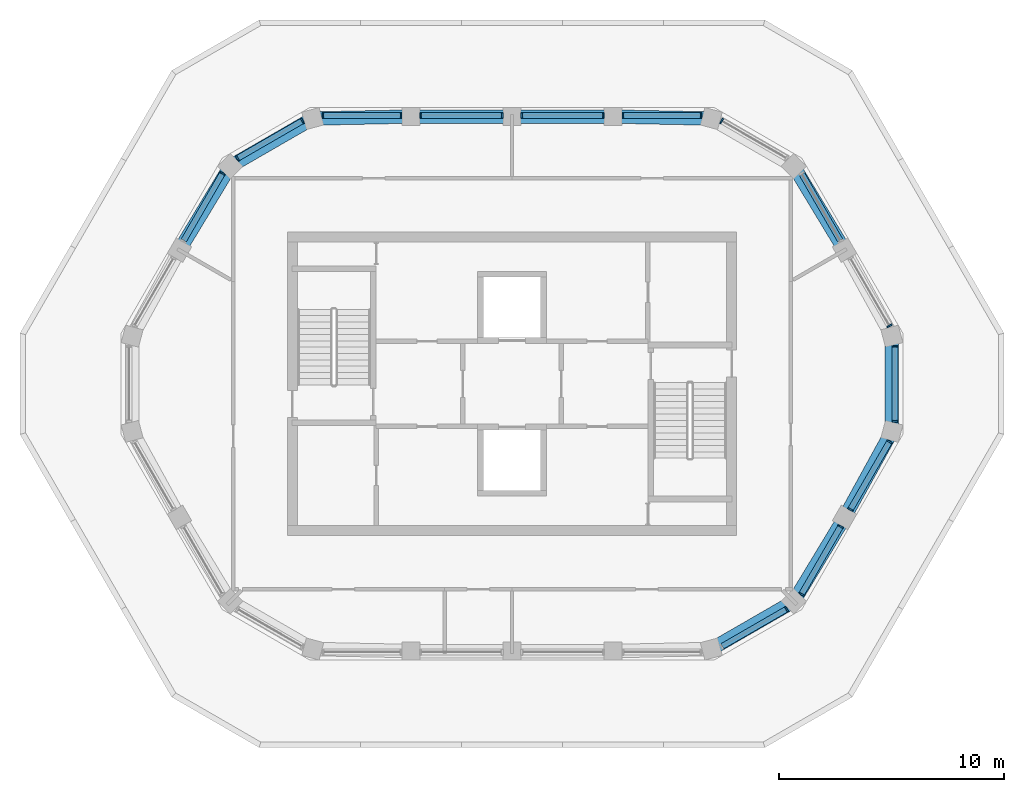
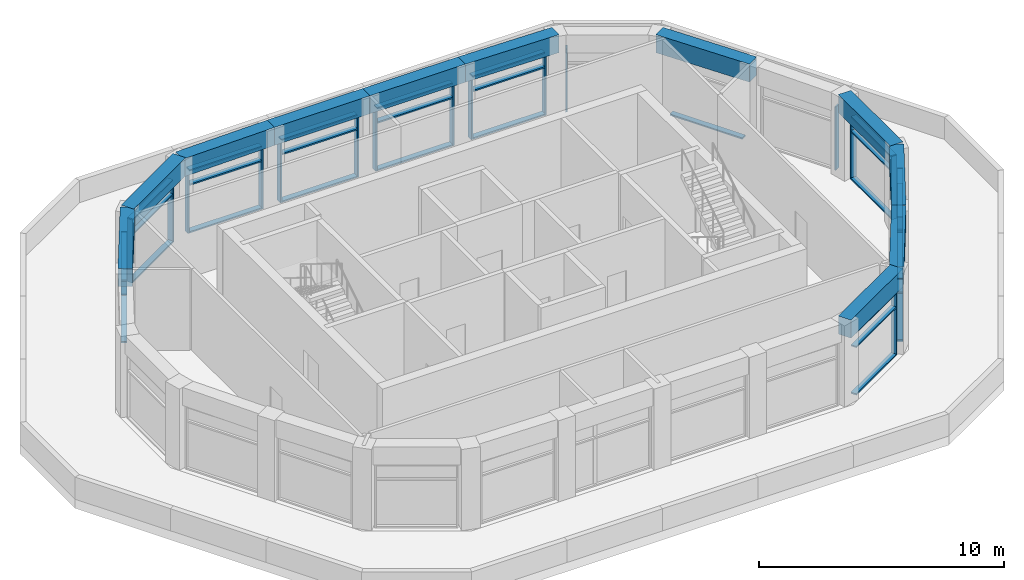
# One storey, part 2 of 8: 51 members, 11 beams, 13 elements without a shape of their own.
"""IFC4 building model written with IfcOpenShell, lengths in metres."""

from ifc_helpers import new_model, si_unit, direction, frame, origin, origin_2d, place, context, subcontext, project, spatial, rectangle, extrude, material, layer, layer_set, material_profile, profile_set, type_object, element, aggregate, save


model = new_model("IFC4")

# Units and contexts
model_context = context("Model", 3, precision=1e-05, world=origin(), true_north=direction((0.0, 1.0)))
body_context = subcontext(model_context, "Body", "Model", "MODEL_VIEW")
ifc_project = project(units=[si_unit("LENGTHUNIT", "METRE"), si_unit("AREAUNIT", "SQUARE_METRE"), si_unit("VOLUMEUNIT", "CUBIC_METRE"), si_unit("PLANEANGLEUNIT", "RADIAN"), si_unit("MASSUNIT", "GRAM", prefix="KILO")], contexts=[model_context])

# Site, building, storey
site_placement = place(None, origin())
site = spatial("IfcSite", under=ifc_project, at=site_placement, CompositionType="ELEMENT")
building_placement = place(site_placement, origin())
building = spatial("IfcBuilding", under=site, at=building_placement, Name="Dhurran Vertical Campus", CompositionType="ELEMENT")
storey_placement = place(building_placement, frame((0.0, 0.0, 323.39990234375)))
storey = spatial("IfcBuildingStorey", under=building, at=storey_placement, Name="L79 Plant", CompositionType="ELEMENT", Elevation=323.39990234375)

# Curtain wall, member
ifc_material_1 = material(Name="Aluminium frame with solar-control glass", Category="aluminium")
ifc_layer = layer(ifc_material_1, 0.260009765625)
ifc_layer_set = layer_set([ifc_layer], Name="Aluminium frame with solar-control glass")
curtain_wall_type = type_object("IfcCurtainWallType", Name="Crown lantern glazing system", PredefinedType="NOTDEFINED", material=ifc_layer_set)
curtain_wall_1_placement = place(storey_placement, origin())
curtain_wall_1 = element("IfcCurtainWall", 1, at=curtain_wall_1_placement, inside=storey, type_object=curtain_wall_type, Name="CW6 L79.04", PredefinedType="NOTDEFINED")
ifc_material_2 = material(Name="Aluminium mullion", Category="aluminium")
ifc_material_profile_1 = material_profile(ifc_material_2, rectangle(XDim=0.260009765625, YDim=0.070068359375, at=origin_2d()), Name="Crown lantern glazing system mullion")
ifc_profile_set_1 = profile_set([ifc_material_profile_1], Name="Aluminium mullion")
member_type_1 = type_object("IfcMemberType", Name="Crown lantern glazing system mullion", PredefinedType="MULLION", material=ifc_profile_set_1)
member_1_placement = place(storey_placement, frame((12.217041015625, -10.03271484375, 0.0), z_axis=(0.0, 0.0, 1.0), x_axis=(-0.499991203395, 0.866030482447, 0.0)))
member_1 = element("IfcMember", 2, at=member_1_placement, type_object=member_type_1, Name="CW6 mullion 2", PredefinedType="MULLION", context=body_context, shape_type="SweptSolid", body=[
    extrude(rectangle(XDim=0.260009765625, YDim=0.070068359375, at=origin_2d()), origin(), (0.0, 0.0, 1.0), 3.150146484375),
])

# Curtain wall, members
curtain_wall_2_placement = place(storey_placement, origin())
curtain_wall_2 = element("IfcCurtainWall", 3, at=curtain_wall_2_placement, inside=storey, type_object=curtain_wall_type, Name="CW6 L79.05", PredefinedType="NOTDEFINED")
member_2_placement = place(storey_placement, frame((12.8857421875, -9.364013671875, 0.0), z_axis=(0.0, 0.0, 1.0), x_axis=(-0.866016292778, 0.500015780395, 0.0)))
member_2 = element("IfcMember", 4, at=member_2_placement, type_object=member_type_1, Name="CW6 mullion 1", PredefinedType="MULLION", context=body_context, shape_type="SweptSolid", body=[
    extrude(rectangle(XDim=0.260009765625, YDim=0.070068359375, at=origin_2d()), origin(), (0.0, 0.0, 1.0), 3.150146484375),
])
member_3_placement = place(storey_placement, frame((14.626220703125, -6.349365234375, 0.0), z_axis=(0.0, 0.0, 1.0), x_axis=(-0.866016292778, 0.500015780395, 0.0)))
member_3 = element("IfcMember", 5, at=member_3_placement, type_object=member_type_1, Name="CW6 mullion 2", PredefinedType="MULLION", context=body_context, shape_type="SweptSolid", body=[
    extrude(rectangle(XDim=0.260009765625, YDim=0.070068359375, at=origin_2d()), origin(), (0.0, 0.0, 1.0), 3.150146484375),
])

curtain_wall_3_placement = place(storey_placement, origin())
curtain_wall_3 = element("IfcCurtainWall", 6, at=curtain_wall_3_placement, inside=storey, type_object=curtain_wall_type, Name="CW6 L79.06", PredefinedType="NOTDEFINED")
member_4_placement = place(storey_placement, frame((15.061767578125, -5.594970703125, 0.0), z_axis=(0.0, 0.0, 1.0), x_axis=(-0.866030372825, 0.499991393271, 0.0)))
member_4 = element("IfcMember", 7, at=member_4_placement, type_object=member_type_1, Name="CW6 mullion 1", PredefinedType="MULLION", context=body_context, shape_type="SweptSolid", body=[
    extrude(rectangle(XDim=0.260009765625, YDim=0.070068359375, at=origin_2d()), origin(), (0.0, 0.0, 1.0), 3.150146484375),
])
member_5_placement = place(storey_placement, frame((16.802490234375, -2.580078125, 0.0), z_axis=(0.0, 0.0, 1.0), x_axis=(-0.866030372825, 0.499991393271, 0.0)))
member_5 = element("IfcMember", 8, at=member_5_placement, type_object=member_type_1, Name="CW6 mullion 2", PredefinedType="MULLION", context=body_context, shape_type="SweptSolid", body=[
    extrude(rectangle(XDim=0.260009765625, YDim=0.070068359375, at=origin_2d()), origin(), (0.0, 0.0, 1.0), 3.150146484375),
])

curtain_wall_4_placement = place(storey_placement, origin())
curtain_wall_4 = element("IfcCurtainWall", 9, at=curtain_wall_4_placement, inside=storey, type_object=curtain_wall_type, Name="CW6 L79.07", PredefinedType="NOTDEFINED")
member_6_placement = place(storey_placement, frame((17.047119140625, -1.66650390625, 0.0), z_axis=(0.0, 0.0, 1.0), x_axis=(-1.0, 0.0, 0.0)))
member_6 = element("IfcMember", 10, at=member_6_placement, type_object=member_type_1, Name="CW6 mullion 1", PredefinedType="MULLION", context=body_context, shape_type="SweptSolid", body=[
    extrude(rectangle(XDim=0.260009765625, YDim=0.070068359375, at=origin_2d()), origin(), (0.0, 0.0, 1.0), 3.150146484375),
])
member_7_placement = place(storey_placement, frame((17.047119140625, 1.66650390625, 0.0), z_axis=(0.0, 0.0, 1.0), x_axis=(-1.0, 0.0, 0.0)))
member_7 = element("IfcMember", 11, at=member_7_placement, type_object=member_type_1, Name="CW6 mullion 2", PredefinedType="MULLION", context=body_context, shape_type="SweptSolid", body=[
    extrude(rectangle(XDim=0.260009765625, YDim=0.070068359375, at=origin_2d()), origin(), (0.0, 0.0, 1.0), 3.150146484375),
])

# Curtain wall, member
curtain_wall_5_placement = place(storey_placement, origin())
curtain_wall_5 = element("IfcCurtainWall", 12, at=curtain_wall_5_placement, inside=storey, type_object=curtain_wall_type, Name="CW6 L79.08", PredefinedType="NOTDEFINED")
member_8_placement = place(storey_placement, frame((16.802490234375, 2.580078125, 0.0), z_axis=(0.0, 0.0, 1.0), x_axis=(-0.866030372825, -0.499991393271, 0.0)))
member_8 = element("IfcMember", 13, at=member_8_placement, type_object=member_type_1, Name="CW6 mullion 1", PredefinedType="MULLION", context=body_context, shape_type="SweptSolid", body=[
    extrude(rectangle(XDim=0.260009765625, YDim=0.070068359375, at=origin_2d()), origin(), (0.0, 0.0, 1.0), 3.150146484375),
])
aggregate(curtain_wall_5, [member_8])

curtain_wall_6_placement = place(storey_placement, origin())
curtain_wall_6 = element("IfcCurtainWall", 14, at=curtain_wall_6_placement, inside=storey, type_object=curtain_wall_type, Name="CW6 L79.10", PredefinedType="NOTDEFINED")
member_9_placement = place(storey_placement, frame((9.330078125, 11.699462890625, 0.0), z_axis=(0.0, 0.0, 1.0), x_axis=(-0.499991203395, -0.866030482447, 0.0)))
member_9 = element("IfcMember", 15, at=member_9_placement, type_object=member_type_1, Name="CW6 mullion 2", PredefinedType="MULLION", context=body_context, shape_type="SweptSolid", body=[
    extrude(rectangle(XDim=0.260009765625, YDim=0.070068359375, at=origin_2d()), origin(), (0.0, 0.0, 1.0), 3.150146484375),
])
aggregate(curtain_wall_6, [member_9])

# Curtain wall, members
curtain_wall_7_placement = place(storey_placement, origin())
curtain_wall_7 = element("IfcCurtainWall", 16, at=curtain_wall_7_placement, inside=storey, type_object=curtain_wall_type, Name="CW6 L79.11", PredefinedType="NOTDEFINED")
member_10_placement = place(storey_placement, frame((8.41650390625, 11.944091796875, 0.0), z_axis=(0.0, 0.0, 1.0), x_axis=(0.0, -1.0, 0.0)))
member_10 = element("IfcMember", 17, at=member_10_placement, type_object=member_type_1, Name="CW6 mullion 1", PredefinedType="MULLION", context=body_context, shape_type="SweptSolid", body=[
    extrude(rectangle(XDim=0.260009765625, YDim=0.070068359375, at=origin_2d()), origin(), (0.0, 0.0, 1.0), 3.150146484375),
])
member_11_placement = place(storey_placement, frame((4.935546875, 11.944091796875, 0.0), z_axis=(0.0, 0.0, 1.0), x_axis=(0.0, -1.0, 0.0)))
member_11 = element("IfcMember", 18, at=member_11_placement, type_object=member_type_1, Name="CW6 mullion 2", PredefinedType="MULLION", context=body_context, shape_type="SweptSolid", body=[
    extrude(rectangle(XDim=0.260009765625, YDim=0.070068359375, at=origin_2d()), origin(), (0.0, 0.0, 1.0), 3.150146484375),
])

curtain_wall_8_placement = place(storey_placement, origin())
curtain_wall_8 = element("IfcCurtainWall", 19, at=curtain_wall_8_placement, inside=storey, type_object=curtain_wall_type, Name="CW6 L79.12", PredefinedType="NOTDEFINED")
member_12_placement = place(storey_placement, frame((4.064453125, 11.944091796875, 0.0), z_axis=(0.0, 0.0, 1.0), x_axis=(0.0, -1.0, 0.0)))
member_12 = element("IfcMember", 20, at=member_12_placement, type_object=member_type_1, Name="CW6 mullion 1", PredefinedType="MULLION", context=body_context, shape_type="SweptSolid", body=[
    extrude(rectangle(XDim=0.260009765625, YDim=0.070068359375, at=origin_2d()), origin(), (0.0, 0.0, 1.0), 3.150146484375),
])
member_13_placement = place(storey_placement, frame((0.435546875, 11.944091796875, 0.0), z_axis=(0.0, 0.0, 1.0), x_axis=(0.0, -1.0, 0.0)))
member_13 = element("IfcMember", 21, at=member_13_placement, type_object=member_type_1, Name="CW6 mullion 2", PredefinedType="MULLION", context=body_context, shape_type="SweptSolid", body=[
    extrude(rectangle(XDim=0.260009765625, YDim=0.070068359375, at=origin_2d()), origin(), (0.0, 0.0, 1.0), 3.150146484375),
])

curtain_wall_9_placement = place(storey_placement, origin())
curtain_wall_9 = element("IfcCurtainWall", 22, at=curtain_wall_9_placement, inside=storey, type_object=curtain_wall_type, Name="CW6 L79.13", PredefinedType="NOTDEFINED")
member_14_placement = place(storey_placement, frame((-0.435546875, 11.944091796875, 0.0), z_axis=(0.0, 0.0, 1.0), x_axis=(0.0, -1.0, 0.0)))
member_14 = element("IfcMember", 23, at=member_14_placement, type_object=member_type_1, Name="CW6 mullion 1", PredefinedType="MULLION", context=body_context, shape_type="SweptSolid", body=[
    extrude(rectangle(XDim=0.260009765625, YDim=0.070068359375, at=origin_2d()), origin(), (0.0, 0.0, 1.0), 3.150146484375),
])
member_15_placement = place(storey_placement, frame((-4.064453125, 11.944091796875, 0.0), z_axis=(0.0, 0.0, 1.0), x_axis=(0.0, -1.0, 0.0)))
member_15 = element("IfcMember", 24, at=member_15_placement, type_object=member_type_1, Name="CW6 mullion 2", PredefinedType="MULLION", context=body_context, shape_type="SweptSolid", body=[
    extrude(rectangle(XDim=0.260009765625, YDim=0.070068359375, at=origin_2d()), origin(), (0.0, 0.0, 1.0), 3.150146484375),
])

curtain_wall_10_placement = place(storey_placement, origin())
curtain_wall_10 = element("IfcCurtainWall", 25, at=curtain_wall_10_placement, inside=storey, type_object=curtain_wall_type, Name="CW6 L79.14", PredefinedType="NOTDEFINED")
member_16_placement = place(storey_placement, frame((-4.935546875, 11.944091796875, 0.0), z_axis=(0.0, 0.0, 1.0), x_axis=(0.0, -1.0, 0.0)))
member_16 = element("IfcMember", 26, at=member_16_placement, type_object=member_type_1, Name="CW6 mullion 1", PredefinedType="MULLION", context=body_context, shape_type="SweptSolid", body=[
    extrude(rectangle(XDim=0.260009765625, YDim=0.070068359375, at=origin_2d()), origin(), (0.0, 0.0, 1.0), 3.150146484375),
])
member_17_placement = place(storey_placement, frame((-8.41650390625, 11.944091796875, 0.0), z_axis=(0.0, 0.0, 1.0), x_axis=(0.0, -1.0, 0.0)))
member_17 = element("IfcMember", 27, at=member_17_placement, type_object=member_type_1, Name="CW6 mullion 2", PredefinedType="MULLION", context=body_context, shape_type="SweptSolid", body=[
    extrude(rectangle(XDim=0.260009765625, YDim=0.070068359375, at=origin_2d()), origin(), (0.0, 0.0, 1.0), 3.150146484375),
])

curtain_wall_11_placement = place(storey_placement, origin())
curtain_wall_11 = element("IfcCurtainWall", 28, at=curtain_wall_11_placement, inside=storey, type_object=curtain_wall_type, Name="CW6 L79.15", PredefinedType="NOTDEFINED")
member_18_placement = place(storey_placement, frame((-9.330078125, 11.699462890625, 0.0), z_axis=(0.0, 0.0, 1.0), x_axis=(0.499991203395, -0.866030482447, 0.0)))
member_18 = element("IfcMember", 29, at=member_18_placement, type_object=member_type_1, Name="CW6 mullion 1", PredefinedType="MULLION", context=body_context, shape_type="SweptSolid", body=[
    extrude(rectangle(XDim=0.260009765625, YDim=0.070068359375, at=origin_2d()), origin(), (0.0, 0.0, 1.0), 3.150146484375),
])
member_19_placement = place(storey_placement, frame((-12.217041015625, 10.03271484375, 0.0), z_axis=(0.0, 0.0, 1.0), x_axis=(0.499991203395, -0.866030482447, 0.0)))
member_19 = element("IfcMember", 30, at=member_19_placement, type_object=member_type_1, Name="CW6 mullion 2", PredefinedType="MULLION", context=body_context, shape_type="SweptSolid", body=[
    extrude(rectangle(XDim=0.260009765625, YDim=0.070068359375, at=origin_2d()), origin(), (0.0, 0.0, 1.0), 3.150146484375),
])

# Curtain wall, member
curtain_wall_12_placement = place(storey_placement, origin())
curtain_wall_12 = element("IfcCurtainWall", 31, at=curtain_wall_12_placement, inside=storey, type_object=curtain_wall_type, Name="CW6 L79.16", PredefinedType="NOTDEFINED")
member_20_placement = place(storey_placement, frame((-12.8857421875, 9.364013671875, 0.0), z_axis=(0.0, 0.0, 1.0), x_axis=(0.866016292778, -0.500015780395, 0.0)))
member_20 = element("IfcMember", 32, at=member_20_placement, type_object=member_type_1, Name="CW6 mullion 1", PredefinedType="MULLION", context=body_context, shape_type="SweptSolid", body=[
    extrude(rectangle(XDim=0.260009765625, YDim=0.070068359375, at=origin_2d()), origin(), (0.0, 0.0, 1.0), 3.150146484375),
])

# Member
ifc_material_3 = material(Name="Aluminium transom", Category="aluminium")
ifc_material_profile_2 = material_profile(ifc_material_3, rectangle(XDim=0.260009765625, YDim=0.070068359375, at=origin_2d()), Name="Crown lantern glazing system transom")
ifc_profile_set_2 = profile_set([ifc_material_profile_2], Name="Aluminium transom")
member_type_2 = type_object("IfcMemberType", Name="Crown lantern glazing system transom", PredefinedType="USERDEFINED", material=ifc_profile_set_2)
member_21_placement = place(storey_placement, frame((9.3603515625, -11.681884765625, 0.03515625), z_axis=(0.866057278891, 0.499944786631, 0.0), x_axis=(-0.499944786631, 0.866057278891, 0.0)))
member_21 = element("IfcMember", 33, at=member_21_placement, type_object=member_type_2, Name="CW6 transom 1.1", ObjectType="TRANSOM", PredefinedType="USERDEFINED", context=body_context, shape_type="SweptSolid", body=[
    extrude(rectangle(XDim=0.260009765625, YDim=0.070068359375, at=origin_2d()), origin(), (0.0, 0.0, 1.0), 3.263427734375),
])

member_22_placement = place(storey_placement, frame((9.3603515625, -11.681884765625, 2.400146484375), z_axis=(0.866057278891, 0.499944786631, 0.0), x_axis=(-0.499944786631, 0.866057278891, 0.0)))
member_22 = element("IfcMember", 34, at=member_22_placement, type_object=member_type_2, Name="CW6 transom 1.2", ObjectType="TRANSOM", PredefinedType="USERDEFINED", context=body_context, shape_type="SweptSolid", body=[
    extrude(rectangle(XDim=0.260009765625, YDim=0.070068359375, at=origin_2d()), origin(), (0.0, 0.0, 1.0), 3.263427734375),
])

member_23_placement = place(storey_placement, frame((9.3603515625, -11.681884765625, 3.114990234375), z_axis=(0.866057278891, 0.499944786631, 0.0), x_axis=(-0.499944786631, 0.866057278891, 0.0)))
member_23 = element("IfcMember", 35, at=member_23_placement, type_object=member_type_2, Name="CW6 transom 1.3", ObjectType="TRANSOM", PredefinedType="USERDEFINED", context=body_context, shape_type="SweptSolid", body=[
    extrude(rectangle(XDim=0.260009765625, YDim=0.070068359375, at=origin_2d()), origin(), (0.0, 0.0, 1.0), 3.263427734375),
])

aggregate(curtain_wall_1, [member_1, member_21, member_22, member_23])

member_24_placement = place(storey_placement, frame((12.9033203125, -9.333740234375, 0.03515625), z_axis=(0.500003314297, 0.866023490266, 0.0), x_axis=(-0.866023490266, 0.500003314297, 0.0)))
member_24 = element("IfcMember", 36, at=member_24_placement, type_object=member_type_2, Name="CW6 transom 1.1", ObjectType="TRANSOM", PredefinedType="USERDEFINED", context=body_context, shape_type="SweptSolid", body=[
    extrude(rectangle(XDim=0.260009765625, YDim=0.070068359375, at=origin_2d()), origin(), (0.0, 0.0, 1.0), 3.4111328125),
])

member_25_placement = place(storey_placement, frame((12.9033203125, -9.333740234375, 2.400146484375), z_axis=(0.500003314297, 0.866023490266, 0.0), x_axis=(-0.866023490266, 0.500003314297, 0.0)))
member_25 = element("IfcMember", 37, at=member_25_placement, type_object=member_type_2, Name="CW6 transom 1.2", ObjectType="TRANSOM", PredefinedType="USERDEFINED", context=body_context, shape_type="SweptSolid", body=[
    extrude(rectangle(XDim=0.260009765625, YDim=0.070068359375, at=origin_2d()), origin(), (0.0, 0.0, 1.0), 3.4111328125),
])

member_26_placement = place(storey_placement, frame((12.9033203125, -9.333740234375, 3.114990234375), z_axis=(0.500003314297, 0.866023490266, 0.0), x_axis=(-0.866023490266, 0.500003314297, 0.0)))
member_26 = element("IfcMember", 38, at=member_26_placement, type_object=member_type_2, Name="CW6 transom 1.3", ObjectType="TRANSOM", PredefinedType="USERDEFINED", context=body_context, shape_type="SweptSolid", body=[
    extrude(rectangle(XDim=0.260009765625, YDim=0.070068359375, at=origin_2d()), origin(), (0.0, 0.0, 1.0), 3.4111328125),
])

aggregate(curtain_wall_2, [member_2, member_3, member_24, member_25, member_26])

member_27_placement = place(storey_placement, frame((15.079345703125, -5.564697265625, 0.03515625), z_axis=(0.499972324094, 0.866041381887, 0.0), x_axis=(-0.866041381887, 0.499972324094, 0.0)))
member_27 = element("IfcMember", 39, at=member_27_placement, type_object=member_type_2, Name="CW6 transom 1.1", ObjectType="TRANSOM", PredefinedType="USERDEFINED", context=body_context, shape_type="SweptSolid", body=[
    extrude(rectangle(XDim=0.260009765625, YDim=0.070068359375, at=origin_2d()), origin(), (0.0, 0.0, 1.0), 3.411376953125),
])

member_28_placement = place(storey_placement, frame((15.079345703125, -5.564697265625, 2.400146484375), z_axis=(0.499972324094, 0.866041381887, 0.0), x_axis=(-0.866041381887, 0.499972324094, 0.0)))
member_28 = element("IfcMember", 40, at=member_28_placement, type_object=member_type_2, Name="CW6 transom 1.2", ObjectType="TRANSOM", PredefinedType="USERDEFINED", context=body_context, shape_type="SweptSolid", body=[
    extrude(rectangle(XDim=0.260009765625, YDim=0.070068359375, at=origin_2d()), origin(), (0.0, 0.0, 1.0), 3.411376953125),
])

member_29_placement = place(storey_placement, frame((15.079345703125, -5.564697265625, 3.114990234375), z_axis=(0.499972324094, 0.866041381887, 0.0), x_axis=(-0.866041381887, 0.499972324094, 0.0)))
member_29 = element("IfcMember", 41, at=member_29_placement, type_object=member_type_2, Name="CW6 transom 1.3", ObjectType="TRANSOM", PredefinedType="USERDEFINED", context=body_context, shape_type="SweptSolid", body=[
    extrude(rectangle(XDim=0.260009765625, YDim=0.070068359375, at=origin_2d()), origin(), (0.0, 0.0, 1.0), 3.411376953125),
])

aggregate(curtain_wall_3, [member_4, member_5, member_27, member_28, member_29])

member_30_placement = place(storey_placement, frame((17.047119140625, -1.631591796875, 0.03515625), z_axis=(0.0, 1.0, 0.0), x_axis=(-1.0, 0.0, 0.0)))
member_30 = element("IfcMember", 42, at=member_30_placement, type_object=member_type_2, Name="CW6 transom 1.1", ObjectType="TRANSOM", PredefinedType="USERDEFINED", context=body_context, shape_type="SweptSolid", body=[
    extrude(rectangle(XDim=0.260009765625, YDim=0.070068359375, at=origin_2d()), origin(), (0.0, 0.0, 1.0), 3.26318359375),
])

member_31_placement = place(storey_placement, frame((17.047119140625, -1.631591796875, 2.400146484375), z_axis=(0.0, 1.0, 0.0), x_axis=(-1.0, 0.0, 0.0)))
member_31 = element("IfcMember", 43, at=member_31_placement, type_object=member_type_2, Name="CW6 transom 1.2", ObjectType="TRANSOM", PredefinedType="USERDEFINED", context=body_context, shape_type="SweptSolid", body=[
    extrude(rectangle(XDim=0.260009765625, YDim=0.070068359375, at=origin_2d()), origin(), (0.0, 0.0, 1.0), 3.26318359375),
])

member_32_placement = place(storey_placement, frame((17.047119140625, -1.631591796875, 3.114990234375), z_axis=(0.0, 1.0, 0.0), x_axis=(-1.0, 0.0, 0.0)))
member_32 = element("IfcMember", 44, at=member_32_placement, type_object=member_type_2, Name="CW6 transom 1.3", ObjectType="TRANSOM", PredefinedType="USERDEFINED", context=body_context, shape_type="SweptSolid", body=[
    extrude(rectangle(XDim=0.260009765625, YDim=0.070068359375, at=origin_2d()), origin(), (0.0, 0.0, 1.0), 3.26318359375),
])

aggregate(curtain_wall_4, [member_6, member_7, member_30, member_31, member_32])

# Curtain wall, member
curtain_wall_13_placement = place(storey_placement, origin())
curtain_wall_13 = element("IfcCurtainWall", 45, at=curtain_wall_13_placement, inside=storey, type_object=curtain_wall_type, Name="CW6 L79.09", PredefinedType="NOTDEFINED")
member_33_placement = place(storey_placement, frame((14.60888671875, 6.379638671875, 0.03515625), z_axis=(-0.500003314297, 0.866023490266, 0.0), x_axis=(-0.866023490266, -0.500003314297, 0.0)))
member_33 = element("IfcMember", 46, at=member_33_placement, type_object=member_type_2, Name="CW6 transom 1.1", ObjectType="TRANSOM", PredefinedType="USERDEFINED", context=body_context, shape_type="SweptSolid", body=[
    extrude(rectangle(XDim=0.260009765625, YDim=0.070068359375, at=origin_2d()), origin(), (0.0, 0.0, 1.0), 3.4111328125),
])
aggregate(curtain_wall_13, [member_33])

# Member
member_34_placement = place(storey_placement, frame((8.381591796875, 11.944091796875, 0.03515625), z_axis=(-1.0, 0.0, 0.0), x_axis=(0.0, -1.0, 0.0)))
member_34 = element("IfcMember", 47, at=member_34_placement, type_object=member_type_2, Name="CW6 transom 1.1", ObjectType="TRANSOM", PredefinedType="USERDEFINED", context=body_context, shape_type="SweptSolid", body=[
    extrude(rectangle(XDim=0.260009765625, YDim=0.070068359375, at=origin_2d()), origin(), (0.0, 0.0, 1.0), 3.4111328125),
])

member_35_placement = place(storey_placement, frame((8.381591796875, 11.944091796875, 2.400146484375), z_axis=(-1.0, 0.0, 0.0), x_axis=(0.0, -1.0, 0.0)))
member_35 = element("IfcMember", 48, at=member_35_placement, type_object=member_type_2, Name="CW6 transom 1.2", ObjectType="TRANSOM", PredefinedType="USERDEFINED", context=body_context, shape_type="SweptSolid", body=[
    extrude(rectangle(XDim=0.260009765625, YDim=0.070068359375, at=origin_2d()), origin(), (0.0, 0.0, 1.0), 3.4111328125),
])

member_36_placement = place(storey_placement, frame((8.381591796875, 11.944091796875, 3.114990234375), z_axis=(-1.0, 0.0, 0.0), x_axis=(0.0, -1.0, 0.0)))
member_36 = element("IfcMember", 49, at=member_36_placement, type_object=member_type_2, Name="CW6 transom 1.3", ObjectType="TRANSOM", PredefinedType="USERDEFINED", context=body_context, shape_type="SweptSolid", body=[
    extrude(rectangle(XDim=0.260009765625, YDim=0.070068359375, at=origin_2d()), origin(), (0.0, 0.0, 1.0), 3.4111328125),
])

aggregate(curtain_wall_7, [member_10, member_11, member_34, member_35, member_36])

member_37_placement = place(storey_placement, frame((4.029541015625, 11.944091796875, 0.03515625), z_axis=(-1.0, 0.0, 0.0), x_axis=(0.0, -1.0, 0.0)))
member_37 = element("IfcMember", 50, at=member_37_placement, type_object=member_type_2, Name="CW6 transom 1.1", ObjectType="TRANSOM", PredefinedType="USERDEFINED", context=body_context, shape_type="SweptSolid", body=[
    extrude(rectangle(XDim=0.260009765625, YDim=0.070068359375, at=origin_2d()), origin(), (0.0, 0.0, 1.0), 3.55908203125),
])

member_38_placement = place(storey_placement, frame((4.029541015625, 11.944091796875, 2.400146484375), z_axis=(-1.0, 0.0, 0.0), x_axis=(0.0, -1.0, 0.0)))
member_38 = element("IfcMember", 51, at=member_38_placement, type_object=member_type_2, Name="CW6 transom 1.2", ObjectType="TRANSOM", PredefinedType="USERDEFINED", context=body_context, shape_type="SweptSolid", body=[
    extrude(rectangle(XDim=0.260009765625, YDim=0.070068359375, at=origin_2d()), origin(), (0.0, 0.0, 1.0), 3.55908203125),
])

member_39_placement = place(storey_placement, frame((4.029541015625, 11.944091796875, 3.114990234375), z_axis=(-1.0, 0.0, 0.0), x_axis=(0.0, -1.0, 0.0)))
member_39 = element("IfcMember", 52, at=member_39_placement, type_object=member_type_2, Name="CW6 transom 1.3", ObjectType="TRANSOM", PredefinedType="USERDEFINED", context=body_context, shape_type="SweptSolid", body=[
    extrude(rectangle(XDim=0.260009765625, YDim=0.070068359375, at=origin_2d()), origin(), (0.0, 0.0, 1.0), 3.55908203125),
])

aggregate(curtain_wall_8, [member_12, member_13, member_37, member_38, member_39])

member_40_placement = place(storey_placement, frame((-0.470458984375, 11.944091796875, 0.03515625), z_axis=(-1.0, 0.0, 0.0), x_axis=(0.0, -1.0, 0.0)))
member_40 = element("IfcMember", 53, at=member_40_placement, type_object=member_type_2, Name="CW6 transom 1.1", ObjectType="TRANSOM", PredefinedType="USERDEFINED", context=body_context, shape_type="SweptSolid", body=[
    extrude(rectangle(XDim=0.260009765625, YDim=0.070068359375, at=origin_2d()), origin(), (0.0, 0.0, 1.0), 3.55908203125),
])

member_41_placement = place(storey_placement, frame((-0.470458984375, 11.944091796875, 2.400146484375), z_axis=(-1.0, 0.0, 0.0), x_axis=(0.0, -1.0, 0.0)))
member_41 = element("IfcMember", 54, at=member_41_placement, type_object=member_type_2, Name="CW6 transom 1.2", ObjectType="TRANSOM", PredefinedType="USERDEFINED", context=body_context, shape_type="SweptSolid", body=[
    extrude(rectangle(XDim=0.260009765625, YDim=0.070068359375, at=origin_2d()), origin(), (0.0, 0.0, 1.0), 3.55908203125),
])

member_42_placement = place(storey_placement, frame((-0.470458984375, 11.944091796875, 3.114990234375), z_axis=(-1.0, 0.0, 0.0), x_axis=(0.0, -1.0, 0.0)))
member_42 = element("IfcMember", 55, at=member_42_placement, type_object=member_type_2, Name="CW6 transom 1.3", ObjectType="TRANSOM", PredefinedType="USERDEFINED", context=body_context, shape_type="SweptSolid", body=[
    extrude(rectangle(XDim=0.260009765625, YDim=0.070068359375, at=origin_2d()), origin(), (0.0, 0.0, 1.0), 3.55908203125),
])

aggregate(curtain_wall_9, [member_14, member_15, member_40, member_41, member_42])

member_43_placement = place(storey_placement, frame((-4.970458984375, 11.944091796875, 0.03515625), z_axis=(-1.0, 0.0, 0.0), x_axis=(0.0, -1.0, 0.0)))
member_43 = element("IfcMember", 56, at=member_43_placement, type_object=member_type_2, Name="CW6 transom 1.1", ObjectType="TRANSOM", PredefinedType="USERDEFINED", context=body_context, shape_type="SweptSolid", body=[
    extrude(rectangle(XDim=0.260009765625, YDim=0.070068359375, at=origin_2d()), origin(), (0.0, 0.0, 1.0), 3.4111328125),
])

member_44_placement = place(storey_placement, frame((-4.970458984375, 11.944091796875, 2.400146484375), z_axis=(-1.0, 0.0, 0.0), x_axis=(0.0, -1.0, 0.0)))
member_44 = element("IfcMember", 57, at=member_44_placement, type_object=member_type_2, Name="CW6 transom 1.2", ObjectType="TRANSOM", PredefinedType="USERDEFINED", context=body_context, shape_type="SweptSolid", body=[
    extrude(rectangle(XDim=0.260009765625, YDim=0.070068359375, at=origin_2d()), origin(), (0.0, 0.0, 1.0), 3.4111328125),
])

member_45_placement = place(storey_placement, frame((-4.970458984375, 11.944091796875, 3.114990234375), z_axis=(-1.0, 0.0, 0.0), x_axis=(0.0, -1.0, 0.0)))
member_45 = element("IfcMember", 58, at=member_45_placement, type_object=member_type_2, Name="CW6 transom 1.3", ObjectType="TRANSOM", PredefinedType="USERDEFINED", context=body_context, shape_type="SweptSolid", body=[
    extrude(rectangle(XDim=0.260009765625, YDim=0.070068359375, at=origin_2d()), origin(), (0.0, 0.0, 1.0), 3.4111328125),
])

aggregate(curtain_wall_10, [member_16, member_17, member_43, member_44, member_45])

member_46_placement = place(storey_placement, frame((-9.3603515625, 11.681884765625, 0.03515625), z_axis=(-0.866057278891, -0.499944786631, 0.0), x_axis=(0.499944786631, -0.866057278891, 0.0)))
member_46 = element("IfcMember", 59, at=member_46_placement, type_object=member_type_2, Name="CW6 transom 1.1", ObjectType="TRANSOM", PredefinedType="USERDEFINED", context=body_context, shape_type="SweptSolid", body=[
    extrude(rectangle(XDim=0.260009765625, YDim=0.070068359375, at=origin_2d()), origin(), (0.0, 0.0, 1.0), 3.263427734375),
])

member_47_placement = place(storey_placement, frame((-9.3603515625, 11.681884765625, 2.400146484375), z_axis=(-0.866057278891, -0.499944786631, 0.0), x_axis=(0.499944786631, -0.866057278891, 0.0)))
member_47 = element("IfcMember", 60, at=member_47_placement, type_object=member_type_2, Name="CW6 transom 1.2", ObjectType="TRANSOM", PredefinedType="USERDEFINED", context=body_context, shape_type="SweptSolid", body=[
    extrude(rectangle(XDim=0.260009765625, YDim=0.070068359375, at=origin_2d()), origin(), (0.0, 0.0, 1.0), 3.263427734375),
])

member_48_placement = place(storey_placement, frame((-9.3603515625, 11.681884765625, 3.114990234375), z_axis=(-0.866057278891, -0.499944786631, 0.0), x_axis=(0.499944786631, -0.866057278891, 0.0)))
member_48 = element("IfcMember", 61, at=member_48_placement, type_object=member_type_2, Name="CW6 transom 1.3", ObjectType="TRANSOM", PredefinedType="USERDEFINED", context=body_context, shape_type="SweptSolid", body=[
    extrude(rectangle(XDim=0.260009765625, YDim=0.070068359375, at=origin_2d()), origin(), (0.0, 0.0, 1.0), 3.263427734375),
])

aggregate(curtain_wall_11, [member_18, member_19, member_46, member_47, member_48])

member_49_placement = place(storey_placement, frame((-12.9033203125, 9.333740234375, 0.03515625), z_axis=(-0.500003314297, -0.866023490266, 0.0), x_axis=(0.866023490266, -0.500003314297, 0.0)))
member_49 = element("IfcMember", 62, at=member_49_placement, type_object=member_type_2, Name="CW6 transom 1.1", ObjectType="TRANSOM", PredefinedType="USERDEFINED", context=body_context, shape_type="SweptSolid", body=[
    extrude(rectangle(XDim=0.260009765625, YDim=0.070068359375, at=origin_2d()), origin(), (0.0, 0.0, 1.0), 3.4111328125),
])

member_50_placement = place(storey_placement, frame((-12.9033203125, 9.333740234375, 2.400146484375), z_axis=(-0.500003314297, -0.866023490266, 0.0), x_axis=(0.866023490266, -0.500003314297, 0.0)))
member_50 = element("IfcMember", 63, at=member_50_placement, type_object=member_type_2, Name="CW6 transom 1.2", ObjectType="TRANSOM", PredefinedType="USERDEFINED", context=body_context, shape_type="SweptSolid", body=[
    extrude(rectangle(XDim=0.260009765625, YDim=0.070068359375, at=origin_2d()), origin(), (0.0, 0.0, 1.0), 3.4111328125),
])

member_51_placement = place(storey_placement, frame((-12.9033203125, 9.333740234375, 3.114990234375), z_axis=(-0.500003314297, -0.866023490266, 0.0), x_axis=(0.866023490266, -0.500003314297, 0.0)))
member_51 = element("IfcMember", 64, at=member_51_placement, type_object=member_type_2, Name="CW6 transom 1.3", ObjectType="TRANSOM", PredefinedType="USERDEFINED", context=body_context, shape_type="SweptSolid", body=[
    extrude(rectangle(XDim=0.260009765625, YDim=0.070068359375, at=origin_2d()), origin(), (0.0, 0.0, 1.0), 3.4111328125),
])

aggregate(curtain_wall_12, [member_20, member_49, member_50, member_51])

# Beams
ifc_material_4 = material(Name="Concrete C40/50", Category="concrete")
ifc_material_profile_3 = material_profile(ifc_material_4, rectangle(XDim=0.60009765625, YDim=0.89990234375, at=origin_2d()), Name="cr/beam/edge")
ifc_profile_set_3 = profile_set([ifc_material_profile_3], Name="Concrete C40/50")
beam_type = type_object("IfcBeamType", Name="cr/beam/edge", PredefinedType="BEAM", material=ifc_profile_set_3)
beam_1_placement = place(storey_placement, frame((8.86865234375, -11.80419921875, 3.60009765625), z_axis=(0.866043595944, 0.499968488931, 0.0), x_axis=(-0.499968488931, 0.866043595944, 0.0)))
element("IfcBeam", 65, at=beam_1_placement, inside=storey, type_object=beam_type, Name="Crown edge beam L79 5", PredefinedType="BEAM", context=body_context, shape_type="SweptSolid", body=[
    extrude(rectangle(XDim=0.60009765625, YDim=0.89990234375, at=origin_2d()), origin(), (0.0, 0.0, 1.0), 4.237548828125),
])
for number, where, z_axis, x_axis, name in (
    (66, (12.53857421875, -9.685546875, 3.60009765625), (0.517704752326, 0.855559343014, 0.0), (-0.855559343014, 0.517704752326, 0.0), "Crown edge beam L79 6"),
    (67, (14.80078125, -5.947021484375, 3.60009765625), (0.48206673495, 0.87613450055, 0.0), (-0.87613450055, 0.48206673495, 0.0), "Crown edge beam L79 7"),
):
    element("IfcBeam", number, at=place(storey_placement, frame(where, z_axis=z_axis, x_axis=x_axis)), inside=storey, type_object=beam_type, Name=name, PredefinedType="BEAM", context=body_context, shape_type="SweptSolid", body=[
        extrude(rectangle(XDim=0.60009765625, YDim=0.89990234375, at=origin_2d()), origin(), (0.0, 0.0, 1.0), 4.36962890625),
    ])
beam_2_placement = place(storey_placement, frame((16.9072265625, -2.11865234375, 3.60009765625), z_axis=(0.0, 1.0, 0.0), x_axis=(-1.0, 0.0, 0.0)))
element("IfcBeam", 68, at=beam_2_placement, inside=storey, type_object=beam_type, Name="Crown edge beam L79 8", PredefinedType="BEAM", context=body_context, shape_type="SweptSolid", body=[
    extrude(rectangle(XDim=0.60009765625, YDim=0.89990234375, at=origin_2d()), origin(), (0.0, 0.0, 1.0), 4.2373046875),
])
for number, where, z_axis, x_axis, name in (
    (69, (14.80078125, 5.947021484375, 3.60009765625), (-0.517704752326, 0.855559343014, 0.0), (-0.855559343014, -0.517704752326, 0.0), "Crown edge beam L79 10"),
    (70, (8.86865234375, 11.80419921875, 3.60009765625), (-0.999787445949, 0.020617054183, 0.0), (-0.020617054183, -0.999787445949, 0.0), "Crown edge beam L79 12"),
):
    element("IfcBeam", number, at=place(storey_placement, frame(where, z_axis=z_axis, x_axis=x_axis)), inside=storey, type_object=beam_type, Name=name, PredefinedType="BEAM", context=body_context, shape_type="SweptSolid", body=[
        extrude(rectangle(XDim=0.60009765625, YDim=0.89990234375, at=origin_2d()), origin(), (0.0, 0.0, 1.0), 4.36962890625),
    ])
for number, where, z_axis, x_axis, name in (
    (71, (4.5, 11.894287109375, 3.60009765625), (-1.0, 0.0, 0.0), (0.0, -1.0, 0.0), "Crown edge beam L79 13"),
    (72, (0.0, 11.894287109375, 3.60009765625), (-1.0, 0.0, 0.0), (0.0, -1.0, 0.0), "Crown edge beam L79 14"),
):
    element("IfcBeam", number, at=place(storey_placement, frame(where, z_axis=z_axis, x_axis=x_axis)), inside=storey, type_object=beam_type, Name=name, PredefinedType="BEAM", context=body_context, shape_type="SweptSolid", body=[
        extrude(rectangle(XDim=0.60009765625, YDim=0.89990234375, at=origin_2d()), origin(), (0.0, 0.0, 1.0), 4.5),
    ])
beam_3_placement = place(storey_placement, frame((-4.5, 11.894287109375, 3.60009765625), z_axis=(-0.999787445949, -0.020617054183, 0.0), x_axis=(0.020617054183, -0.999787445949, 0.0)))
element("IfcBeam", 73, at=beam_3_placement, inside=storey, type_object=beam_type, Name="Crown edge beam L79 15", PredefinedType="BEAM", context=body_context, shape_type="SweptSolid", body=[
    extrude(rectangle(XDim=0.60009765625, YDim=0.89990234375, at=origin_2d()), origin(), (0.0, 0.0, 1.0), 4.36962890625),
])
beam_4_placement = place(storey_placement, frame((-8.86865234375, 11.80419921875, 3.60009765625), z_axis=(-0.866043595944, -0.499968488931, 0.0), x_axis=(0.499968488931, -0.866043595944, 0.0)))
element("IfcBeam", 74, at=beam_4_placement, inside=storey, type_object=beam_type, Name="Crown edge beam L79 16", PredefinedType="BEAM", context=body_context, shape_type="SweptSolid", body=[
    extrude(rectangle(XDim=0.60009765625, YDim=0.89990234375, at=origin_2d()), origin(), (0.0, 0.0, 1.0), 4.237548828125),
])
beam_5_placement = place(storey_placement, frame((-12.53857421875, 9.685546875, 3.60009765625), z_axis=(-0.517704752326, -0.855559343014, 0.0), x_axis=(0.855559343014, -0.517704752326, 0.0)))
element("IfcBeam", 75, at=beam_5_placement, inside=storey, type_object=beam_type, Name="Crown edge beam L79 17", PredefinedType="BEAM", context=body_context, shape_type="SweptSolid", body=[
    extrude(rectangle(XDim=0.60009765625, YDim=0.89990234375, at=origin_2d()), origin(), (0.0, 0.0, 1.0), 4.36962890625),
])

save(model, "model.ifc")
